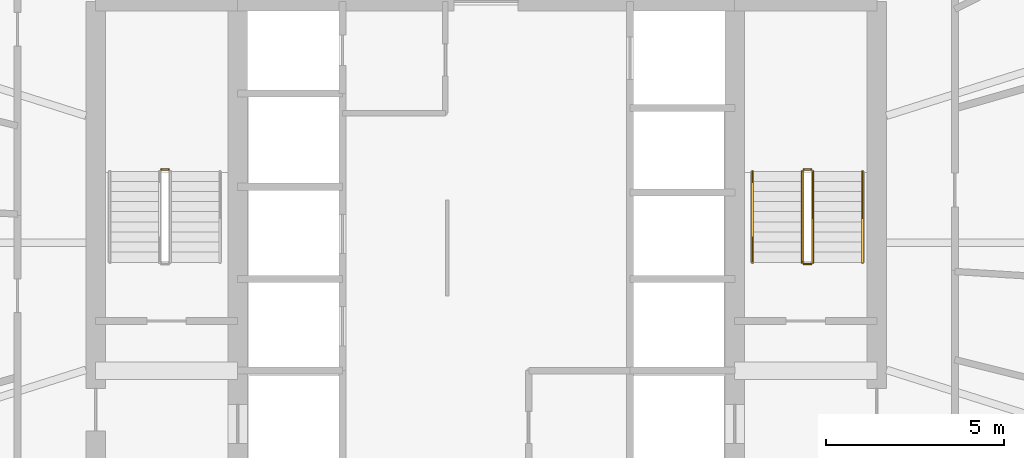
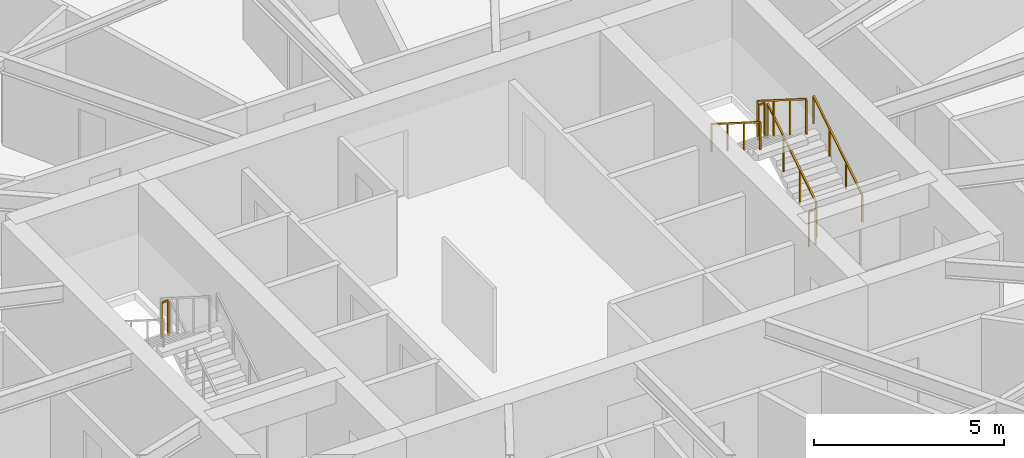
# One storey, part 24 of 24: 7 railings.
"""IFC4 building model written with IfcOpenShell, lengths in metres."""

from ifc_helpers import new_model, si_unit, direction, frame, origin, origin_2d, place, context, subcontext, project, spatial, rectangle, extrude, material, type_object, element, save


model = new_model("IFC4")

# Units and contexts
model_context = context("Model", 3, precision=1e-05, world=origin(), true_north=direction((0.0, 1.0)))
body_context = subcontext(model_context, "Body", "Model", "MODEL_VIEW")
ifc_project = project(units=[si_unit("LENGTHUNIT", "METRE"), si_unit("AREAUNIT", "SQUARE_METRE"), si_unit("VOLUMEUNIT", "CUBIC_METRE"), si_unit("PLANEANGLEUNIT", "RADIAN"), si_unit("MASSUNIT", "GRAM", prefix="KILO")], contexts=[model_context])

# Site, building, storey
site_placement = place(None, origin())
site = spatial("IfcSite", under=ifc_project, at=site_placement, CompositionType="ELEMENT")
building_placement = place(site_placement, origin())
building = spatial("IfcBuilding", under=site, at=building_placement, Name="Sarneth Arch Tower", CompositionType="ELEMENT")
storey_placement = place(building_placement, frame((0.0, 0.0, 94.800048828125)))
storey = spatial("IfcBuildingStorey", under=building, at=storey_placement, Name="L23", CompositionType="ELEMENT", Elevation=94.800048828125)

# Railings
ifc_material_1 = material(Name="Brushed Stainless Steel 304 tubular handrail", Category="steel")
railing_type_1 = type_object("IfcRailingType", Name="RAIL-HANDRAIL-900", PredefinedType="HANDRAIL", material=ifc_material_1)
railing_1_placement = place(storey_placement, frame((58.60009765625, 41.449951171875, 0.179931640625)))
element("IfcRailing", 1, at=railing_1_placement, inside=storey, type_object=railing_type_1, Name="L23 ST-2 stair handrail 1", PredefinedType="HANDRAIL", context=body_context, shape_type="SweptSolid", body=[
    extrude(rectangle(XDim=0.048095703125, YDim=0.048095703125, at=origin_2d()), frame((0.0, 0.0, 0.8759765625), z_axis=(0.0, 0.845465955043, 0.534029323973), x_axis=(-1.0, 0.0, 0.0)), (0.0, 0.0, 1.0), 3.03369140625),
    extrude(rectangle(XDim=0.0419921875, YDim=0.0419921875, at=origin_2d()), origin(), (0.0, 0.0, 1.0), 0.851806640625),
    extrude(rectangle(XDim=0.0419921875, YDim=0.0419921875, at=origin_2d()), frame((0.0, 0.85498046875, 0.5400390625)), (0.0, 0.0, 1.0), 0.851806640625),
    extrude(rectangle(XDim=0.0419921875, YDim=0.0419921875, at=origin_2d()), frame((0.0, 1.7099609375, 1.080078125)), (0.0, 0.0, 1.0), 0.851806640625),
    extrude(rectangle(XDim=0.0419921875, YDim=0.0419921875, at=origin_2d()), frame((0.0, 2.56494140625, 1.6201171875)), (0.0, 0.0, 1.0), 0.851806640625),
])
railing_2_placement = place(storey_placement, frame((55.5, 44.014892578125, 1.97998046875)))
element("IfcRailing", 2, at=railing_2_placement, inside=storey, type_object=railing_type_1, Name="L23 ST-2 stair handrail 2", PredefinedType="HANDRAIL", context=body_context, shape_type="SweptSolid", body=[
    extrude(rectangle(XDim=0.048095703125, YDim=0.048095703125, at=origin_2d()), frame((0.0, 0.0, 0.8759765625), z_axis=(0.0, -0.845502289212, 0.533971796014), x_axis=(1.0, 0.0, 0.0)), (0.0, 0.0, 1.0), 3.03369140625),
    extrude(rectangle(XDim=0.0419921875, YDim=0.0419921875, at=origin_2d()), origin(), (0.0, 0.0, 1.0), 0.851806640625),
    extrude(rectangle(XDim=0.0419921875, YDim=0.0419921875, at=origin_2d()), frame((0.0, -0.85498046875, 0.5400390625)), (0.0, 0.0, 1.0), 0.851806640625),
    extrude(rectangle(XDim=0.0419921875, YDim=0.0419921875, at=origin_2d()), frame((0.0, -1.7099609375, 1.079833984375)), (0.0, 0.0, 1.0), 0.851806640625),
    extrude(rectangle(XDim=0.0419921875, YDim=0.0419921875, at=origin_2d()), frame((0.0, -2.56494140625, 1.619873046875)), (0.0, 0.0, 1.0), 0.851806640625),
])
ifc_material_2 = material(Name="Painted Steel S275 stair well guard", Category="steel")
railing_type_2 = type_object("IfcRailingType", Name="RAIL-STAIR-GUARD", PredefinedType="GUARDRAIL", material=ifc_material_2)
railing_3_placement = place(storey_placement, frame((39.050048828125, 44.06494140625, 1.800048828125)))
element("IfcRailing", 3, at=railing_3_placement, inside=storey, type_object=railing_type_2, Name="L23 ST-1 stair guard 2", PredefinedType="GUARDRAIL", context=body_context, shape_type="SweptSolid", body=[
    extrude(rectangle(XDim=0.048095703125, YDim=0.048095703125, at=origin_2d()), frame((0.0, 0.0, 1.1259765625), z_axis=(-1.0, 0.0, 0.0), x_axis=(0.0, -1.0, 0.0)), (0.0, 0.0, 1.0), 0.199951171875),
    extrude(rectangle(XDim=0.0419921875, YDim=0.0419921875, at=origin_2d()), origin(), (0.0, 0.0, 1.0), 1.101806640625),
    extrude(rectangle(XDim=0.0419921875, YDim=0.0419921875, at=origin_2d()), frame((-0.199951171875, 0.0, 0.0)), (0.0, 0.0, 1.0), 1.101806640625),
])
railing_4_placement = place(storey_placement, frame((57.199951171875, 41.449951171875, 0.179931640625)))
element("IfcRailing", 4, at=railing_4_placement, inside=storey, type_object=railing_type_2, Name="L23 ST-2 stair guard 1", PredefinedType="GUARDRAIL", context=body_context, shape_type="SweptSolid", body=[
    extrude(rectangle(XDim=0.048095703125, YDim=0.048095703125, at=origin_2d()), frame((0.0, 0.0, 1.1259765625), z_axis=(0.0, 0.845465955043, 0.534029323973), x_axis=(-1.0, 0.0, 0.0)), (0.0, 0.0, 1.0), 3.03369140625),
    extrude(rectangle(XDim=0.0419921875, YDim=0.0419921875, at=origin_2d()), origin(), (0.0, 0.0, 1.0), 1.101806640625),
    extrude(rectangle(XDim=0.0419921875, YDim=0.0419921875, at=origin_2d()), frame((0.0, 0.85498046875, 0.5400390625)), (0.0, 0.0, 1.0), 1.101806640625),
    extrude(rectangle(XDim=0.0419921875, YDim=0.0419921875, at=origin_2d()), frame((0.0, 1.7099609375, 1.080078125)), (0.0, 0.0, 1.0), 1.101806640625),
    extrude(rectangle(XDim=0.0419921875, YDim=0.0419921875, at=origin_2d()), frame((0.0, 2.56494140625, 1.6201171875)), (0.0, 0.0, 1.0), 1.101806640625),
])
railing_5_placement = place(storey_placement, frame((57.14990234375, 44.06494140625, 1.800048828125)))
element("IfcRailing", 5, at=railing_5_placement, inside=storey, type_object=railing_type_2, Name="L23 ST-2 stair guard 2", PredefinedType="GUARDRAIL", context=body_context, shape_type="SweptSolid", body=[
    extrude(rectangle(XDim=0.048095703125, YDim=0.048095703125, at=origin_2d()), frame((0.0, 0.0, 1.1259765625), z_axis=(-1.0, 0.0, 0.0), x_axis=(0.0, -1.0, 0.0)), (0.0, 0.0, 1.0), 0.199951171875),
    extrude(rectangle(XDim=0.0419921875, YDim=0.0419921875, at=origin_2d()), origin(), (0.0, 0.0, 1.0), 1.101806640625),
    extrude(rectangle(XDim=0.0419921875, YDim=0.0419921875, at=origin_2d()), frame((-0.199951171875, 0.0, 0.0)), (0.0, 0.0, 1.0), 1.101806640625),
])
railing_6_placement = place(storey_placement, frame((56.89990234375, 44.014892578125, 1.97998046875)))
element("IfcRailing", 6, at=railing_6_placement, inside=storey, type_object=railing_type_2, Name="L23 ST-2 stair guard 3", PredefinedType="GUARDRAIL", context=body_context, shape_type="SweptSolid", body=[
    extrude(rectangle(XDim=0.048095703125, YDim=0.048095703125, at=origin_2d()), frame((0.0, 0.0, 1.1259765625), z_axis=(0.0, -0.845502289212, 0.533971796014), x_axis=(1.0, 0.0, 0.0)), (0.0, 0.0, 1.0), 3.03369140625),
    extrude(rectangle(XDim=0.0419921875, YDim=0.0419921875, at=origin_2d()), origin(), (0.0, 0.0, 1.0), 1.101806640625),
    extrude(rectangle(XDim=0.0419921875, YDim=0.0419921875, at=origin_2d()), frame((0.0, -0.85498046875, 0.5400390625)), (0.0, 0.0, 1.0), 1.101806640625),
    extrude(rectangle(XDim=0.0419921875, YDim=0.0419921875, at=origin_2d()), frame((0.0, -1.7099609375, 1.079833984375)), (0.0, 0.0, 1.0), 1.101806640625),
    extrude(rectangle(XDim=0.0419921875, YDim=0.0419921875, at=origin_2d()), frame((0.0, -2.56494140625, 1.619873046875)), (0.0, 0.0, 1.0), 1.101806640625),
])
railing_7_placement = place(storey_placement, frame((57.14990234375, 41.39990234375, 0.0)))
element("IfcRailing", 7, at=railing_7_placement, inside=storey, type_object=railing_type_2, Name="L23 ST-2 stair guard 4", PredefinedType="GUARDRAIL", context=body_context, shape_type="SweptSolid", body=[
    extrude(rectangle(XDim=0.048095703125, YDim=0.048095703125, at=origin_2d()), frame((0.0, 0.0, 1.1259765625), z_axis=(-1.0, 0.0, 0.0), x_axis=(0.0, -1.0, 0.0)), (0.0, 0.0, 1.0), 0.199951171875),
    extrude(rectangle(XDim=0.0419921875, YDim=0.0419921875, at=origin_2d()), origin(), (0.0, 0.0, 1.0), 1.101806640625),
    extrude(rectangle(XDim=0.0419921875, YDim=0.0419921875, at=origin_2d()), frame((-0.199951171875, 0.0, 0.0)), (0.0, 0.0, 1.0), 1.101806640625),
])

save(model, "model.ifc")
